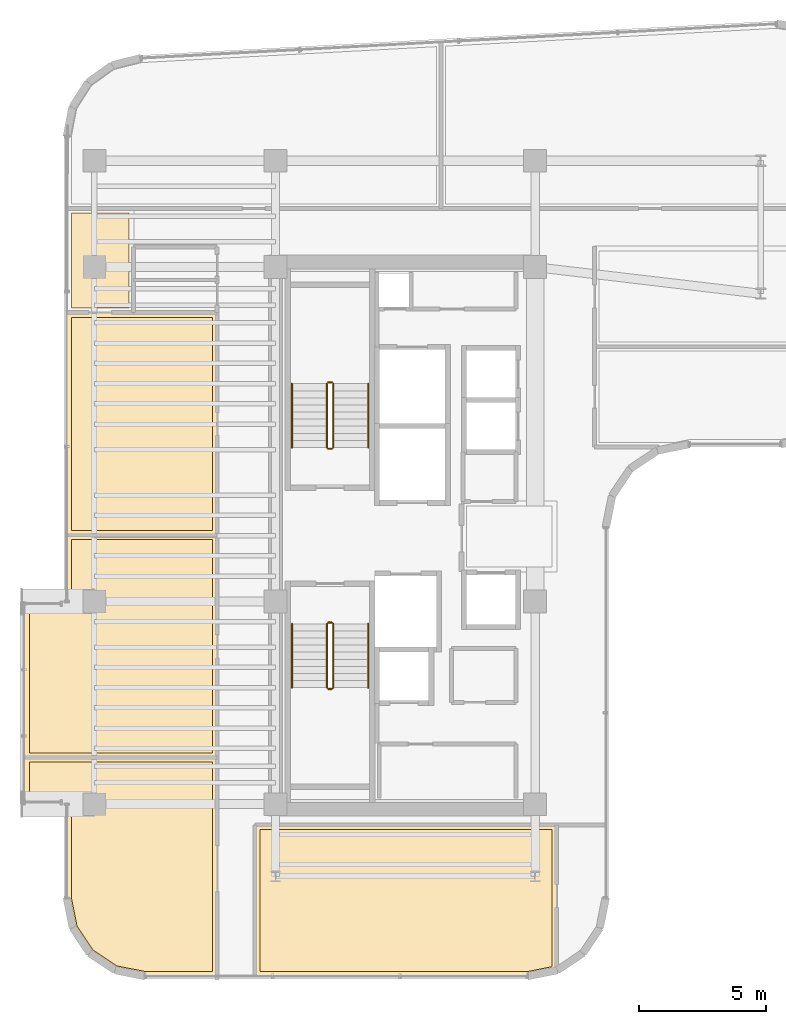
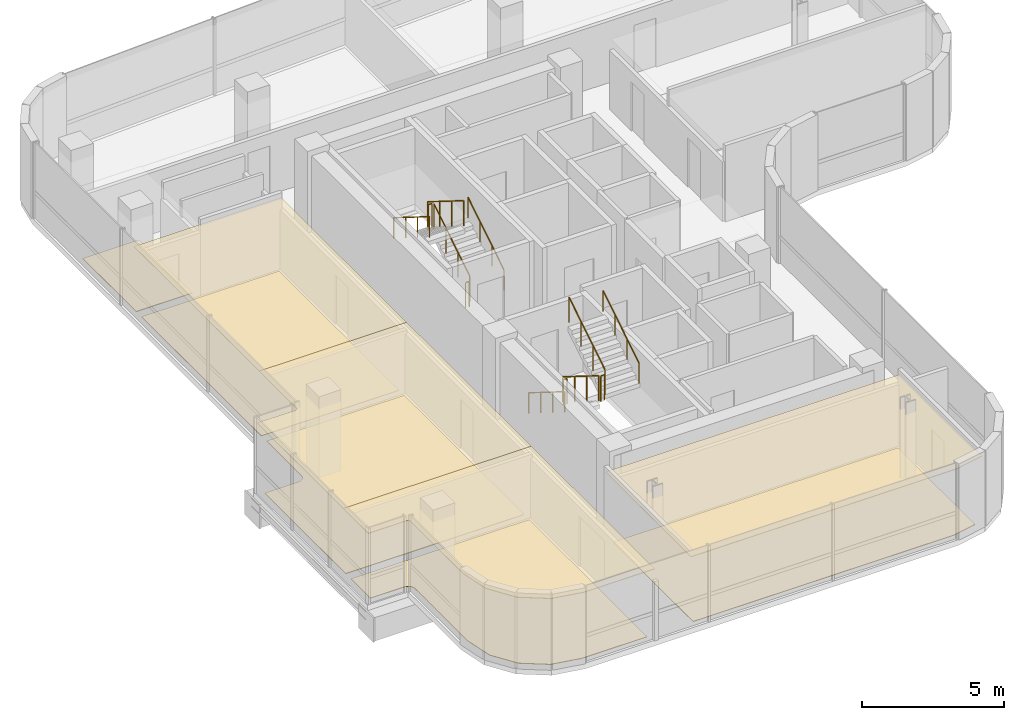
# One storey, part 21 of 22: 12 railings, 9 coverings.
"""IFC4 building model written with IfcOpenShell, lengths in metres."""

import ifcopenshell
import ifcopenshell.guid

model = None  # the IFC model being written
_history = None  # IfcOwnerHistory: only IFC2X3 demands one
_inside = {}  # id of a spatial element -> (the spatial element, [elements in it])
_under = {}  # id of a project, library or spatial element -> (it, [spatial elements below it])
_declared = {}  # id of a project -> (the project, [libraries it declares])
_typed = {}  # id of a type object -> (the type object, [elements of that type])
_made_of = {}  # id of a material, layer set ... -> (it, [elements and type objects made of it])


def new_model(schema):
    """Start an empty IFC model of exactly this schema.

    Asked for "IFC4X3", IfcOpenShell would pick the latest addendum, in which some entities
    have other attributes; the version numbers below select the first issue.
    IFC2X3 requires an IfcOwnerHistory on every rooted entity: one is made here for all.
    """
    global model, _history
    if schema == "IFC4X3":
        model = ifcopenshell.file(schema_version=(4, 3, 0, 0))
    else:
        model = ifcopenshell.file(schema=schema)
    _inside.clear()
    _under.clear()
    _declared.clear()
    _typed.clear()
    _made_of.clear()
    _history = None
    if model.schema == "IFC2X3":
        org = make("IfcOrganization", Name="unknown")
        user = make(
            "IfcPersonAndOrganization",
            ThePerson=make("IfcPerson", FamilyName="unknown"),
            TheOrganization=org,
        )
        app = make(
            "IfcApplication",
            ApplicationDeveloper=org,
            Version="unknown",
            ApplicationFullName="unknown",
            ApplicationIdentifier="unknown",
        )
        _history = make(
            "IfcOwnerHistory",
            OwningUser=user,
            OwningApplication=app,
            ChangeAction="ADDED",
            CreationDate=0,
        )
    return model


def make(cls, **values):
    """One entity of the class cls with the attributes given. An attribute that is None is left unset."""
    return model.create_entity(
        cls, **{name: value for name, value in values.items() if value is not None}
    )


def rooted(cls, **values):
    """An entity with a GlobalId (a new one), such as an element, a storey or a relation."""
    return make(cls, GlobalId=ifcopenshell.guid.new(), OwnerHistory=_history, **values)


def si_unit(unit_type, name, prefix=None):
    """IfcSIUnit, for example si_unit("LENGTHUNIT", "METRE", prefix="MILLI")."""
    return make("IfcSIUnit", UnitType=unit_type, Prefix=prefix, Name=name)


def assignment(units):
    """IfcUnitAssignment: the units of a project."""
    return None if units is None else make("IfcUnitAssignment", Units=units)


def point(xyz):
    """IfcCartesianPoint."""
    return None if xyz is None else make("IfcCartesianPoint", Coordinates=xyz)


def direction(xyz):
    """IfcDirection."""
    return None if xyz is None else make("IfcDirection", DirectionRatios=xyz)


def frame(location, z_axis=None, x_axis=None):
    """IfcAxis2Placement3D, a coordinate frame: its origin and axes. An axis left out is left unset."""
    return make(
        "IfcAxis2Placement3D",
        Location=point(location),
        Axis=direction(z_axis),
        RefDirection=direction(x_axis),
    )


def frame_2d(location, x_axis=None):
    """IfcAxis2Placement2D, a coordinate frame in the plane: its origin and x axis."""
    return make(
        "IfcAxis2Placement2D", Location=point(location), RefDirection=direction(x_axis)
    )


def origin():
    """The frame at (0, 0, 0) with its axes left unset."""
    return frame((0.0, 0.0, 0.0))


def origin_2d():
    """The frame at (0, 0) in the plane with its x axis left unset."""
    return frame_2d((0.0, 0.0))


def place(relative_to, where):
    """IfcLocalPlacement: puts the frame where relative to a parent placement (None: the world)."""
    return make(
        "IfcLocalPlacement", PlacementRelTo=relative_to, RelativePlacement=where
    )


def context(
    kind, dimensions, precision=None, world=None, true_north=None, identifier=None
):
    """IfcGeometricRepresentationContext, for example the 3D "Model" context."""
    return make(
        "IfcGeometricRepresentationContext",
        ContextIdentifier=identifier,
        ContextType=kind,
        CoordinateSpaceDimension=dimensions,
        Precision=precision,
        WorldCoordinateSystem=world,
        TrueNorth=true_north,
    )


def subcontext(parent, identifier, kind, view, scale=None):
    """IfcGeometricRepresentationSubContext, for example "Body" below "Model"."""
    return make(
        "IfcGeometricRepresentationSubContext",
        ContextIdentifier=identifier,
        ContextType=kind,
        ParentContext=parent,
        TargetScale=scale,
        TargetView=view,
    )


def project(units=None, contexts=None):
    """IfcProject with its units and contexts."""
    return rooted(
        "IfcProject",
        Name="project",
        RepresentationContexts=contexts,
        UnitsInContext=assignment(units),
    )


def spatial(cls, under=None, at=None, **own):
    """A site, building, storey or space (cls), placed at a placement, below another one or the project."""
    s = rooted(cls, ObjectPlacement=at, **own)
    if under is not None:
        _under.setdefault(under.id(), (under, []))[1].append(s)
    return s


def polyline(points):
    """IfcPolyline through the points."""
    return make("IfcPolyline", Points=[point(p) for p in points])


def profile(cls, at=None, kind="AREA", **sizes):
    """A parametric profile (cls). Its sizes go by their IFC names, for example OverallWidth=200.0."""
    return make(cls, ProfileType=kind, Position=at, **sizes)


def circle(**sizes):
    """IfcCircleProfileDef."""
    return profile("IfcCircleProfileDef", **sizes)


def outline(outer, holes=None, kind="AREA"):
    """IfcArbitraryClosedProfileDef: a profile drawn as a closed curve; with holes, ...WithVoids."""
    if holes is None:
        return make("IfcArbitraryClosedProfileDef", ProfileType=kind, OuterCurve=outer)
    return make(
        "IfcArbitraryProfileDefWithVoids",
        ProfileType=kind,
        OuterCurve=outer,
        InnerCurves=holes,
    )


def extrude(swept, where, along, depth):
    """IfcExtrudedAreaSolid: the profile swept, set in the frame where, extruded along a direction by depth."""
    return make(
        "IfcExtrudedAreaSolid",
        SweptArea=swept,
        Position=where,
        ExtrudedDirection=direction(along),
        Depth=depth,
    )


def shape(context_of_items, identifier, shape_type, items):
    """IfcShapeRepresentation: the items that make up one representation, for example the "Body"."""
    return make(
        "IfcShapeRepresentation",
        ContextOfItems=context_of_items,
        RepresentationIdentifier=identifier,
        RepresentationType=shape_type,
        Items=items,
    )


def material(Name=None, Category=None):
    """IfcMaterial."""
    return make("IfcMaterial", Name=Name, Category=Category)


def layer(
    of_material, thickness, ventilated=None, Name=None, Category=None, Priority=None
):
    """IfcMaterialLayer: one layer of a wall or slab, of a material (None: an air gap)."""
    return make(
        "IfcMaterialLayer",
        Material=of_material,
        LayerThickness=thickness,
        IsVentilated=ventilated,
        Name=Name,
        Category=Category,
        Priority=Priority,
    )


def layer_set(layers, Name=None):
    """IfcMaterialLayerSet."""
    return make("IfcMaterialLayerSet", MaterialLayers=layers, LayerSetName=Name)


def made_of(thing, what):
    """Note that an element or type object is made of a material, layer set ...; save() writes the relation."""
    if what is not None:
        _made_of.setdefault(what.id(), (what, []))[1].append(thing)
    return thing


def type_object(cls, material=None, **own):
    """A type object (cls), such as IfcWallType, which elements share."""
    return made_of(rooted(cls, **own), material)


def element(
    cls,
    number,
    at=None,
    inside=None,
    cuts=None,
    type_object=None,
    material=None,
    context=None,
    identifier="Body",
    shape_type=None,
    held_by="IfcProductDefinitionShape",
    body=None,
    shapes=None,
    **own,
):
    """One element of the class cls, such as IfcWall. Its Tag is "e" and its number.

    at: its placement. inside: the storey or other place that contains it. cuts: it is an
    opening in that element (IfcRelVoidsElement). A single representation is given by context,
    identifier, shape_type and body (its items); several are given by shapes. held_by: the class
    of the entity that holds the representations. save() writes the other relations.
    """
    e = rooted(cls, Tag="e%d" % number, ObjectPlacement=at, **own)
    if body is not None:
        shapes = [shape(context, identifier, shape_type, body)]
    if shapes is not None:
        e.Representation = make(held_by, Representations=shapes)
    if inside is not None:
        _inside.setdefault(inside.id(), (inside, []))[1].append(e)
    if cuts is not None:
        rooted(
            "IfcRelVoidsElement", RelatingBuildingElement=cuts, RelatedOpeningElement=e
        )
    if type_object is not None:
        _typed.setdefault(type_object.id(), (type_object, []))[1].append(e)
    return made_of(e, material)


def aggregate(whole, parts):
    """IfcRelAggregates: a whole, such as a stair, and the parts it consists of."""
    return rooted("IfcRelAggregates", RelatingObject=whole, RelatedObjects=parts)


def save(model, path):
    """Write the relations noted so far, then the file.

    IfcRelAggregates (storeys below a building ...), IfcRelContainedInSpatialStructure (elements
    in a storey), IfcRelDefinesByType, IfcRelAssociatesMaterial and IfcRelDeclares: one each for
    every whole, place, type object, material and project.
    """
    for whole, parts in _under.values():
        aggregate(whole, parts)
    for where, things in _inside.values():
        rooted(
            "IfcRelContainedInSpatialStructure",
            RelatedElements=things,
            RelatingStructure=where,
        )
    for kind, things in _typed.values():
        rooted("IfcRelDefinesByType", RelatedObjects=things, RelatingType=kind)
    for what, things in _made_of.values():
        rooted("IfcRelAssociatesMaterial", RelatedObjects=things, RelatingMaterial=what)
    for by, libraries in _declared.values():
        rooted("IfcRelDeclares", RelatingContext=by, RelatedDefinitions=libraries)
    model.write(path)


model = new_model("IFC4")

# Units and contexts
model_context = context("Model", 3, precision=1e-05, world=origin(), true_north=direction((0.0, 1.0)))
body_context = subcontext(model_context, "Body", "Model", "MODEL_VIEW")
ifc_project = project(units=[si_unit("LENGTHUNIT", "METRE"), si_unit("AREAUNIT", "SQUARE_METRE"), si_unit("VOLUMEUNIT", "CUBIC_METRE"), si_unit("PLANEANGLEUNIT", "RADIAN"), si_unit("MASSUNIT", "GRAM", prefix="KILO")], contexts=[model_context])

# Site, building, storey
site_placement = place(None, origin())
site = spatial("IfcSite", under=ifc_project, at=site_placement, CompositionType="ELEMENT")
building_placement = place(site_placement, origin())
building = spatial("IfcBuilding", under=site, at=building_placement, Name="Valdorenza Pilgrim Sanctuary Tower", CompositionType="ELEMENT")
storey_placement = place(building_placement, frame((0.0, 0.0, 233.5)))
storey = spatial("IfcBuildingStorey", under=building, at=storey_placement, Name="L60", CompositionType="ELEMENT", Elevation=233.5)

# Coverings
ifc_material_1 = material(Name="Micro-perforated acoustic mineral ceiling tile", Category="gypsum")
ifc_layer_1 = layer(ifc_material_1, 0.02490234375, Name="Micro-perforated acoustic mineral ceiling tile")
ifc_layer_set_1 = layer_set([ifc_layer_1], Name="Micro-perforated acoustic mineral ceiling tile")
covering_type_1 = type_object("IfcCoveringType", Name="COV-CLG-ACU", PredefinedType="CEILING", material=ifc_layer_set_1)
covering_1_placement = place(storey_placement, frame((0.0, 0.0, 2.9599609375)))
element("IfcCovering", 1, at=covering_1_placement, inside=storey, type_object=covering_type_1, Name="L60 Main Pilgrim Dining Restaurant L60 Acoustic Ceiling", PredefinedType="CEILING", context=body_context, shape_type="SweptSolid", body=[
    extrude(outline(polyline([(-24.93505859375, -17.389892578125), (-24.93505859375, -17.3916015625), (-24.935302734375, -17.392822265625), (-24.935546875, -17.394287109375), (-24.93603515625, -17.395751953125), (-24.936767578125, -17.397216796875), (-24.9375, -17.398193359375), (-24.9384765625, -17.3994140625), (-24.939453125, -17.400634765625), (-24.9404296875, -17.401611328125), (-24.941650390625, -17.402587890625), (-24.94287109375, -17.4033203125), (-24.9443359375, -17.40380859375), (-24.945556640625, -17.404296875), (-24.947021484375, -17.40478515625), (-24.948486328125, -17.40478515625), (-24.949951171875, -17.405029296875), (-27.789306640625, -17.405029296875), (-27.79052734375, -17.40478515625), (-27.7919921875, -17.40478515625), (-28.984619140625, -17.16748046875), (-28.986083984375, -17.1669921875), (-28.9873046875, -17.16650390625), (-28.98876953125, -17.166015625), (-28.989990234375, -17.165283203125), (-29.99169921875, -16.495849609375), (-29.992919921875, -16.4951171875), (-29.993896484375, -16.493896484375), (-29.9951171875, -16.492919921875), (-29.995849609375, -16.49169921875), (-30.665283203125, -15.489990234375), (-30.666015625, -15.48876953125), (-30.66650390625, -15.4873046875), (-30.6669921875, -15.486083984375), (-30.66748046875, -15.484619140625), (-30.90478515625, -14.2919921875), (-30.90478515625, -14.29052734375), (-30.905029296875, -14.289306640625), (-30.905029296875, -10.600341796875), (-30.905517578125, -10.5908203125), (-30.90673828125, -10.58154296875), (-30.9091796875, -10.572509765625), (-30.912109375, -10.563720703125), (-30.916259765625, -10.55517578125), (-30.9208984375, -10.547119140625), (-30.926513671875, -10.539794921875), (-30.932861328125, -10.53271484375), (-30.939697265625, -10.526611328125), (-30.947265625, -10.52099609375), (-30.955078125, -10.51611328125), (-30.963623046875, -10.51220703125), (-30.972412109375, -10.509033203125), (-30.9814453125, -10.5068359375), (-30.99072265625, -10.505615234375), (-31.00048828125, -10.5048828125), (-32.5400390625, -10.5048828125), (-32.54150390625, -10.5048828125), (-32.54296875, -10.504638671875), (-32.54443359375, -10.50439453125), (-32.545654296875, -10.50390625), (-32.547119140625, -10.503173828125), (-32.54833984375, -10.50244140625), (-32.549560546875, -10.501708984375), (-32.550537109375, -10.50048828125), (-32.551513671875, -10.49951171875), (-32.552490234375, -10.498291015625), (-32.55322265625, -10.4970703125), (-32.553955078125, -10.49560546875), (-32.554443359375, -10.494384765625), (-32.5546875, -10.492919921875), (-32.554931640625, -10.491455078125), (-32.554931640625, -10.489990234375), (-32.554931640625, -8.760009765625), (-32.554931640625, -8.758544921875), (-32.5546875, -8.757080078125), (-32.554443359375, -8.755615234375), (-32.553955078125, -8.75439453125), (-32.55322265625, -8.7529296875), (-32.552490234375, -8.751708984375), (-32.551513671875, -8.75048828125), (-32.550537109375, -8.74951171875), (-32.549560546875, -8.748291015625), (-32.54833984375, -8.74755859375), (-32.547119140625, -8.746826171875), (-32.545654296875, -8.74609375), (-32.54443359375, -8.74560546875), (-32.54296875, -8.745361328125), (-32.54150390625, -8.7451171875), (-32.5400390625, -8.7451171875), (-24.949951171875, -8.7451171875), (-24.948486328125, -8.7451171875), (-24.947021484375, -8.745361328125), (-24.945556640625, -8.74560546875), (-24.9443359375, -8.74609375), (-24.94287109375, -8.746826171875), (-24.941650390625, -8.74755859375), (-24.9404296875, -8.748291015625), (-24.939453125, -8.74951171875), (-24.9384765625, -8.75048828125), (-24.9375, -8.751708984375), (-24.936767578125, -8.7529296875), (-24.93603515625, -8.75439453125), (-24.935546875, -8.755615234375), (-24.935302734375, -8.757080078125), (-24.93505859375, -8.758544921875), (-24.93505859375, -8.760009765625), (-24.93505859375, -17.389892578125)])), origin(), (0.0, 0.0, 1.0), 0.025146484375),
])
covering_2_placement = place(storey_placement, frame((0.0, 0.0, 2.9599609375)))
element("IfcCovering", 2, at=covering_2_placement, inside=storey, type_object=covering_type_1, Name="L60 Commercial Refectory Kitchen L60 Acoustic Ceiling", PredefinedType="CEILING", context=body_context, shape_type="SweptSolid", body=[
    extrude(outline(polyline([(-24.93505859375, -8.758056640625), (-24.93505859375, -8.759521484375), (-24.935302734375, -8.760986328125), (-24.935546875, -8.762451171875), (-24.93603515625, -8.763671875), (-24.936767578125, -8.76513671875), (-24.9375, -8.766357421875), (-24.9384765625, -8.767578125), (-24.939453125, -8.7685546875), (-24.9404296875, -8.76953125), (-24.941650390625, -8.7705078125), (-24.94287109375, -8.771240234375), (-24.9443359375, -8.77197265625), (-24.945556640625, -8.7724609375), (-24.947021484375, -8.772705078125), (-24.948486328125, -8.77294921875), (-24.949951171875, -8.77294921875), (-32.5400390625, -8.77294921875), (-32.54150390625, -8.77294921875), (-32.54296875, -8.772705078125), (-32.54443359375, -8.7724609375), (-32.545654296875, -8.77197265625), (-32.547119140625, -8.771240234375), (-32.54833984375, -8.7705078125), (-32.549560546875, -8.76953125), (-32.550537109375, -8.7685546875), (-32.551513671875, -8.767578125), (-32.552490234375, -8.766357421875), (-32.55322265625, -8.76513671875), (-32.553955078125, -8.763671875), (-32.554443359375, -8.762451171875), (-32.5546875, -8.760986328125), (-32.554931640625, -8.759521484375), (-32.554931640625, -8.758056640625), (-32.554931640625, -2.7099609375), (-32.554931640625, -2.70849609375), (-32.5546875, -2.70703125), (-32.554443359375, -2.70556640625), (-32.553955078125, -2.704345703125), (-32.55322265625, -2.702880859375), (-32.552490234375, -2.70166015625), (-32.551513671875, -2.700439453125), (-32.550537109375, -2.699462890625), (-32.549560546875, -2.698486328125), (-32.54833984375, -2.697509765625), (-32.547119140625, -2.69677734375), (-32.545654296875, -2.696044921875), (-32.54443359375, -2.695556640625), (-32.54296875, -2.6953125), (-32.54150390625, -2.695068359375), (-32.5400390625, -2.695068359375), (-31.00048828125, -2.695068359375), (-30.99072265625, -2.694580078125), (-30.9814453125, -2.693115234375), (-30.972412109375, -2.69091796875), (-30.963623046875, -2.687744140625), (-30.955078125, -2.683837890625), (-30.947265625, -2.678955078125), (-30.939697265625, -2.67333984375), (-30.932861328125, -2.667236328125), (-30.926513671875, -2.660400390625), (-30.9208984375, -2.65283203125), (-30.916259765625, -2.644775390625), (-30.912109375, -2.63623046875), (-30.9091796875, -2.627685546875), (-30.90673828125, -2.618408203125), (-30.905517578125, -2.609375), (-30.905029296875, -2.599609375), (-30.905029296875, 0.02001953125), (-30.90478515625, 0.021484375), (-30.90478515625, 0.02294921875), (-30.904296875, 0.0244140625), (-30.90380859375, 0.025634765625), (-30.9033203125, 0.027099609375), (-30.902587890625, 0.0283203125), (-30.901611328125, 0.029541015625), (-30.900634765625, 0.030517578125), (-30.8994140625, 0.031494140625), (-30.898193359375, 0.032470703125), (-30.897216796875, 0.033203125), (-30.895751953125, 0.033935546875), (-30.894287109375, 0.034423828125), (-30.892822265625, 0.03466796875), (-30.8916015625, 0.034912109375), (-30.889892578125, 0.034912109375), (-24.949951171875, 0.034912109375), (-24.948486328125, 0.034912109375), (-24.947021484375, 0.03466796875), (-24.945556640625, 0.034423828125), (-24.9443359375, 0.033935546875), (-24.94287109375, 0.033203125), (-24.941650390625, 0.032470703125), (-24.9404296875, 0.031494140625), (-24.939453125, 0.030517578125), (-24.9384765625, 0.029541015625), (-24.9375, 0.0283203125), (-24.936767578125, 0.027099609375), (-24.93603515625, 0.025634765625), (-24.935546875, 0.0244140625), (-24.935302734375, 0.02294921875), (-24.93505859375, 0.021484375), (-24.93505859375, 0.02001953125), (-24.93505859375, -8.758056640625)])), origin(), (0.0, 0.0, 1.0), 0.025146484375),
])
covering_3_placement = place(storey_placement, frame((0.0, 0.0, 2.9599609375)))
element("IfcCovering", 3, at=covering_3_placement, inside=storey, type_object=covering_type_1, Name="L60 Private Banquet Dining Room L60 Acoustic Ceiling", PredefinedType="CEILING", context=body_context, shape_type="SweptSolid", body=[
    extrude(outline(polyline([(-28.253662109375, 8.81298828125), (-28.253173828125, 8.81298828125), (-28.25146484375, 8.813232421875), (-28.25, 8.813232421875), (-28.24853515625, 8.81298828125), (-28.248291015625, 8.81298828125), (-24.949951171875, 8.81298828125), (-24.948486328125, 8.81298828125), (-24.947021484375, 8.812744140625), (-24.945556640625, 8.8125), (-24.9443359375, 8.81201171875), (-24.94287109375, 8.811279296875), (-24.941650390625, 8.810546875), (-24.9404296875, 8.8095703125), (-24.939453125, 8.80859375), (-24.9384765625, 8.8076171875), (-24.9375, 8.806396484375), (-24.936767578125, 8.80517578125), (-24.93603515625, 8.8037109375), (-24.935546875, 8.802490234375), (-24.935302734375, 8.80078125), (-24.93505859375, 8.799560546875), (-24.93505859375, 8.798095703125), (-24.93505859375, 0.02197265625), (-24.93505859375, 0.0205078125), (-24.935302734375, 0.01904296875), (-24.935546875, 0.017578125), (-24.93603515625, 0.016357421875), (-24.936767578125, 0.014892578125), (-24.9375, 0.013671875), (-24.9384765625, 0.012451171875), (-24.939453125, 0.011474609375), (-24.9404296875, 0.010498046875), (-24.941650390625, 0.009521484375), (-24.94287109375, 0.0087890625), (-24.9443359375, 0.008056640625), (-24.945556640625, 0.007568359375), (-24.947021484375, 0.00732421875), (-24.948486328125, 0.007080078125), (-24.949951171875, 0.007080078125), (-30.889892578125, 0.007080078125), (-30.8916015625, 0.007080078125), (-30.892822265625, 0.00732421875), (-30.894287109375, 0.007568359375), (-30.895751953125, 0.008056640625), (-30.897216796875, 0.0087890625), (-30.898193359375, 0.009521484375), (-30.8994140625, 0.010498046875), (-30.900634765625, 0.011474609375), (-30.901611328125, 0.012451171875), (-30.902587890625, 0.013671875), (-30.9033203125, 0.014892578125), (-30.90380859375, 0.016357421875), (-30.904296875, 0.017578125), (-30.90478515625, 0.01904296875), (-30.90478515625, 0.0205078125), (-30.905029296875, 0.02197265625), (-30.905029296875, 8.798095703125), (-30.90478515625, 8.799560546875), (-30.90478515625, 8.80078125), (-30.904296875, 8.802490234375), (-30.90380859375, 8.8037109375), (-30.9033203125, 8.80517578125), (-30.902587890625, 8.806396484375), (-30.901611328125, 8.8076171875), (-30.900634765625, 8.80859375), (-30.8994140625, 8.8095703125), (-30.898193359375, 8.810546875), (-30.897216796875, 8.811279296875), (-30.895751953125, 8.81201171875), (-30.894287109375, 8.8125), (-30.892822265625, 8.812744140625), (-30.8916015625, 8.81298828125), (-30.889892578125, 8.81298828125), (-28.253662109375, 8.81298828125)])), origin(), (0.0, 0.0, 1.0), 0.025146484375),
])
covering_4_placement = place(storey_placement, frame((0.0, 0.0, 2.9599609375)))
element("IfcCovering", 4, at=covering_4_placement, inside=storey, type_object=covering_type_1, Name="L60 South Contemplation Lounge L60 Acoustic Ceiling", PredefinedType="CEILING", context=body_context, shape_type="SweptSolid", body=[
    extrude(outline(polyline([(-11.550048828125, -11.405029296875), (-11.548583984375, -11.405029296875), (-11.547119140625, -11.4052734375), (-11.545654296875, -11.405517578125), (-11.544189453125, -11.406005859375), (-11.54296875, -11.40673828125), (-11.541748046875, -11.407470703125), (-11.54052734375, -11.408447265625), (-11.539306640625, -11.409423828125), (-11.538330078125, -11.410400390625), (-11.53759765625, -11.41162109375), (-11.536865234375, -11.412841796875), (-11.5361328125, -11.414306640625), (-11.53564453125, -11.41552734375), (-11.535400390625, -11.4169921875), (-11.53515625, -11.41845703125), (-11.534912109375, -11.419921875), (-11.534912109375, -17.1591796875), (-11.53515625, -17.16064453125), (-11.535400390625, -17.162109375), (-11.53564453125, -17.163330078125), (-11.5361328125, -17.164794921875), (-11.536865234375, -17.166259765625), (-11.53759765625, -17.16748046875), (-11.538330078125, -17.168701171875), (-11.539306640625, -17.169677734375), (-11.54052734375, -17.170654296875), (-11.541748046875, -17.171630859375), (-11.54296875, -17.17236328125), (-11.544189453125, -17.1728515625), (-11.545654296875, -17.17333984375), (-11.547119140625, -17.173828125), (-12.7080078125, -17.40478515625), (-12.70947265625, -17.40478515625), (-12.710693359375, -17.405029296875), (-23.449951171875, -17.405029296875), (-23.451416015625, -17.40478515625), (-23.452880859375, -17.40478515625), (-23.454345703125, -17.404296875), (-23.455810546875, -17.40380859375), (-23.45703125, -17.4033203125), (-23.458251953125, -17.402587890625), (-23.45947265625, -17.401611328125), (-23.460693359375, -17.400634765625), (-23.461669921875, -17.3994140625), (-23.46240234375, -17.398193359375), (-23.463134765625, -17.397216796875), (-23.4638671875, -17.395751953125), (-23.46435546875, -17.394287109375), (-23.464599609375, -17.392822265625), (-23.46484375, -17.3916015625), (-23.465087890625, -17.389892578125), (-23.465087890625, -11.419921875), (-23.46484375, -11.41845703125), (-23.464599609375, -11.4169921875), (-23.46435546875, -11.41552734375), (-23.4638671875, -11.414306640625), (-23.463134765625, -11.412841796875), (-23.46240234375, -11.41162109375), (-23.461669921875, -11.410400390625), (-23.460693359375, -11.409423828125), (-23.45947265625, -11.408447265625), (-23.458251953125, -11.407470703125), (-23.45703125, -11.40673828125), (-23.455810546875, -11.406005859375), (-23.454345703125, -11.405517578125), (-23.452880859375, -11.4052734375), (-23.451416015625, -11.405029296875), (-23.449951171875, -11.405029296875), (-11.550048828125, -11.405029296875)])), origin(), (0.0, 0.0, 1.0), 0.025146484375),
])
ifc_material_2 = material(Name="Engineered European oak timber flooring", Category="wood")
ifc_layer_2 = layer(ifc_material_2, 0.02197265625, Name="Engineered European oak timber flooring")
ifc_layer_set_2 = layer_set([ifc_layer_2], Name="Engineered European oak timber flooring")
covering_type_2 = type_object("IfcCoveringType", Name="COV-FLR-OAK", PredefinedType="FLOORING", material=ifc_layer_set_2)
covering_5_placement = place(storey_placement, origin())
element("IfcCovering", 5, at=covering_5_placement, inside=storey, type_object=covering_type_2, Name="L60 Private Banquet Dining Room L60 Flooring", PredefinedType="FLOORING", context=body_context, shape_type="SweptSolid", body=[
    extrude(outline(polyline([(-28.250244140625, 8.617919921875), (-28.25, 8.617919921875), (-25.1298828125, 8.617919921875), (-25.1298828125, 0.201904296875), (-30.7099609375, 0.201904296875), (-30.7099609375, 8.617919921875), (-28.251953125, 8.617919921875), (-28.2509765625, 8.617919921875), (-28.250244140625, 8.617919921875)])), origin(), (0.0, 0.0, 1.0), 0.02490234375),
])
ifc_material_3 = material(Name="Honed travertine stone flooring", Category="masonry")
ifc_layer_3 = layer(ifc_material_3, 0.030029296875, Name="Honed travertine stone flooring")
ifc_layer_set_3 = layer_set([ifc_layer_3], Name="Honed travertine stone flooring")
covering_type_3 = type_object("IfcCoveringType", Name="COV-FLR-TRV", PredefinedType="FLOORING", material=ifc_layer_set_3)
covering_6_placement = place(storey_placement, origin())
element("IfcCovering", 6, at=covering_6_placement, inside=storey, type_object=covering_type_3, Name="L60 Pilgrim Scholar Office L60-WN Flooring", PredefinedType="FLOORING", context=body_context, shape_type="SweptSolid", body=[
    extrude(outline(polyline([(-28.431884765625, 10.100341796875), (-28.431884765625, 10.10009765625), (-28.431884765625, 8.97998046875), (-30.7099609375, 8.97998046875), (-30.7099609375, 12.739990234375), (-28.429931640625, 12.739990234375), (-28.429931640625, 11.427001953125), (-28.429931640625, 11.4267578125), (-28.429931640625, 11.426513671875), (-28.431884765625, 11.408935546875), (-28.431884765625, 11.40869140625), (-28.431884765625, 11.39990234375), (-28.431884765625, 10.10205078125), (-28.431884765625, 10.10107421875), (-28.431884765625, 10.100341796875)])), origin(), (0.0, 0.0, 1.0), 0.02490234375),
])
covering_7_placement = place(storey_placement, origin())
element("IfcCovering", 7, at=covering_7_placement, inside=storey, type_object=covering_type_3, Name="L60 Main Pilgrim Dining Restaurant L60 Flooring", PredefinedType="FLOORING", context=body_context, shape_type="SweptSolid", body=[
    extrude(outline(polyline([(-25.1298828125, -17.2099609375), (-27.771484375, -17.2099609375), (-28.911376953125, -16.983154296875), (-29.853515625, -16.353515625), (-30.483154296875, -15.411376953125), (-30.7099609375, -14.271484375), (-30.7099609375, -10.60009765625), (-30.710205078125, -10.59130859375), (-30.710693359375, -10.580322265625), (-30.71240234375, -10.562744140625), (-30.714111328125, -10.552001953125), (-30.717529296875, -10.534912109375), (-30.72021484375, -10.5244140625), (-30.725341796875, -10.50732421875), (-30.72900390625, -10.497314453125), (-30.735595703125, -10.48095703125), (-30.740234375, -10.47119140625), (-30.74853515625, -10.45556640625), (-30.754150390625, -10.4462890625), (-30.763916015625, -10.431640625), (-30.7705078125, -10.423095703125), (-30.781494140625, -10.4091796875), (-30.788818359375, -10.4013671875), (-30.80126953125, -10.388916015625), (-30.809326171875, -10.381591796875), (-30.822998046875, -10.370361328125), (-30.831787109375, -10.364013671875), (-30.84619140625, -10.35400390625), (-30.855712890625, -10.3486328125), (-30.87109375, -10.34033203125), (-30.880859375, -10.335693359375), (-30.897216796875, -10.328857421875), (-30.907470703125, -10.3251953125), (-30.92431640625, -10.320068359375), (-30.934814453125, -10.3173828125), (-30.9521484375, -10.314208984375), (-30.962890625, -10.3125), (-30.98046875, -10.310791015625), (-30.9912109375, -10.310302734375), (-31.0, -10.31005859375), (-32.360107421875, -10.31005859375), (-32.360107421875, -8.93994140625), (-25.1298828125, -8.93994140625), (-25.1298828125, -17.2099609375)])), origin(), (0.0, 0.0, 1.0), 0.02490234375),
])
covering_8_placement = place(storey_placement, origin())
element("IfcCovering", 8, at=covering_8_placement, inside=storey, type_object=covering_type_3, Name="L60 Commercial Refectory Kitchen L60 Flooring", PredefinedType="FLOORING", context=body_context, shape_type="SweptSolid", body=[
    extrude(outline(polyline([(-25.1298828125, -8.577880859375), (-32.360107421875, -8.577880859375), (-32.360107421875, -2.889892578125), (-31.0, -2.889892578125), (-30.9912109375, -2.889892578125), (-30.98046875, -2.889404296875), (-30.962890625, -2.887451171875), (-30.9521484375, -2.885986328125), (-30.934814453125, -2.882568359375), (-30.92431640625, -2.8798828125), (-30.907470703125, -2.874755859375), (-30.897216796875, -2.87109375), (-30.880859375, -2.8642578125), (-30.87109375, -2.859619140625), (-30.855712890625, -2.851318359375), (-30.84619140625, -2.845947265625), (-30.831787109375, -2.8359375), (-30.822998046875, -2.82958984375), (-30.809326171875, -2.818359375), (-30.80126953125, -2.811279296875), (-30.788818359375, -2.798583984375), (-30.781494140625, -2.790771484375), (-30.7705078125, -2.777099609375), (-30.763916015625, -2.768310546875), (-30.754150390625, -2.753662109375), (-30.74853515625, -2.744384765625), (-30.740234375, -2.728759765625), (-30.735595703125, -2.718994140625), (-30.72900390625, -2.70263671875), (-30.725341796875, -2.692626953125), (-30.72021484375, -2.67578125), (-30.717529296875, -2.665283203125), (-30.714111328125, -2.64794921875), (-30.71240234375, -2.63720703125), (-30.710693359375, -2.61962890625), (-30.710205078125, -2.60888671875), (-30.7099609375, -2.60009765625), (-30.7099609375, -0.159912109375), (-25.1298828125, -0.159912109375), (-25.1298828125, -8.577880859375)])), origin(), (0.0, 0.0, 1.0), 0.02490234375),
])
covering_9_placement = place(storey_placement, origin())
element("IfcCovering", 9, at=covering_9_placement, inside=storey, type_object=covering_type_3, Name="L60 South Contemplation Lounge L60 Flooring", PredefinedType="FLOORING", context=body_context, shape_type="SweptSolid", body=[
    extrude(outline(polyline([(-11.72998046875, -11.60009765625), (-11.72998046875, -17.011474609375), (-12.728515625, -17.2099609375), (-23.27001953125, -17.2099609375), (-23.27001953125, -11.60009765625), (-11.72998046875, -11.60009765625)])), origin(), (0.0, 0.0, 1.0), 0.02490234375),
])

# Railings
ifc_material_4 = material(Name="Stainless steel Grade 316", Category="steel")
railing_type_1 = type_object("IfcRailingType", Name="RLG-GRD-1120", PredefinedType="GUARDRAIL", material=ifc_material_4)
railing_1_placement = place(storey_placement, frame((-20.3701171875, 3.47998046875, 0.175048828125)))
element("IfcRailing", 10, at=railing_1_placement, inside=storey, type_object=railing_type_1, Name="L60 ST-A1 stair guard 1", PredefinedType="GUARDRAIL", context=body_context, shape_type="SweptSolid", body=[
    extrude(circle(Radius=0.02392578125, at=origin_2d()), frame((0.0, 0.0, 1.076171875), z_axis=(0.0, 0.848007534815, 0.529984170421), x_axis=(-1.0, 0.0, 0.0)), (0.0, 0.0, 1.0), 2.9716796875),
    extrude(circle(Radius=0.02099609375, at=origin_2d()), origin(), (0.0, 0.0, 1.0), 1.052001953125),
    extrude(circle(Radius=0.02099609375, at=origin_2d()), frame((0.0, 0.840087890625, 0.52490234375)), (0.0, 0.0, 1.0), 1.052001953125),
    extrude(circle(Radius=0.02099609375, at=origin_2d()), frame((0.0, 1.679931640625, 1.050048828125)), (0.0, 0.0, 1.0), 1.052001953125),
    extrude(circle(Radius=0.02099609375, at=origin_2d()), frame((0.0, 2.52001953125, 1.574951171875)), (0.0, 0.0, 1.0), 1.052001953125),
])
railing_2_placement = place(storey_placement, frame((-20.419921875, 6.050048828125, 1.75)))
element("IfcRailing", 11, at=railing_2_placement, inside=storey, type_object=railing_type_1, Name="L60 ST-A1 stair guard 2", PredefinedType="GUARDRAIL", context=body_context, shape_type="SweptSolid", body=[
    extrude(circle(Radius=0.02392578125, at=origin_2d()), frame((0.0, 0.0, 1.076171875), z_axis=(-1.0, 0.0, 0.0), x_axis=(0.0, -1.0, 0.0)), (0.0, 0.0, 1.0), 0.150146484375),
    extrude(circle(Radius=0.02099609375, at=origin_2d()), origin(), (0.0, 0.0, 1.0), 1.052001953125),
    extrude(circle(Radius=0.02099609375, at=origin_2d()), frame((-0.150146484375, 0.0, 0.0)), (0.0, 0.0, 1.0), 1.052001953125),
])
railing_3_placement = place(storey_placement, frame((-20.6201171875, 6.0, 1.925048828125)))
element("IfcRailing", 12, at=railing_3_placement, inside=storey, type_object=railing_type_1, Name="L60 ST-A1 stair guard 3", PredefinedType="GUARDRAIL", context=body_context, shape_type="SweptSolid", body=[
    extrude(circle(Radius=0.02392578125, at=origin_2d()), frame((0.0, 0.0, 1.076171875), z_axis=(0.0, -0.848007534815, 0.529984170421), x_axis=(1.0, 0.0, 0.0)), (0.0, 0.0, 1.0), 2.9716796875),
    extrude(circle(Radius=0.02099609375, at=origin_2d()), origin(), (0.0, 0.0, 1.0), 1.052001953125),
    extrude(circle(Radius=0.02099609375, at=origin_2d()), frame((0.0, -0.840087890625, 0.52490234375)), (0.0, 0.0, 1.0), 1.052001953125),
    extrude(circle(Radius=0.02099609375, at=origin_2d()), frame((0.0, -1.679931640625, 1.050048828125)), (0.0, 0.0, 1.0), 1.052001953125),
    extrude(circle(Radius=0.02099609375, at=origin_2d()), frame((0.0, -2.52001953125, 1.574951171875)), (0.0, 0.0, 1.0), 1.052001953125),
])
railing_4_placement = place(storey_placement, frame((-20.419921875, 3.429931640625, 0.0)))
element("IfcRailing", 13, at=railing_4_placement, inside=storey, type_object=railing_type_1, Name="L60 ST-A1 stair guard 4", PredefinedType="GUARDRAIL", context=body_context, shape_type="SweptSolid", body=[
    extrude(circle(Radius=0.02392578125, at=origin_2d()), frame((0.0, 0.0, 1.076171875), z_axis=(-1.0, 0.0, 0.0), x_axis=(0.0, -1.0, 0.0)), (0.0, 0.0, 1.0), 0.150146484375),
    extrude(circle(Radius=0.02099609375, at=origin_2d()), origin(), (0.0, 0.0, 1.0), 1.052001953125),
    extrude(circle(Radius=0.02099609375, at=origin_2d()), frame((-0.150146484375, 0.0, 0.0)), (0.0, 0.0, 1.0), 1.052001953125),
])
railing_5_placement = place(storey_placement, frame((-20.6201171875, -3.47998046875, 0.175048828125)))
element("IfcRailing", 14, at=railing_5_placement, inside=storey, type_object=railing_type_1, Name="L60 ST-A2 stair guard 1", PredefinedType="GUARDRAIL", context=body_context, shape_type="SweptSolid", body=[
    extrude(circle(Radius=0.02392578125, at=origin_2d()), frame((0.0, 0.0, 1.076171875), z_axis=(0.0, -0.848007534815, 0.529984170421), x_axis=(1.0, 0.0, 0.0)), (0.0, 0.0, 1.0), 2.9716796875),
    extrude(circle(Radius=0.02099609375, at=origin_2d()), origin(), (0.0, 0.0, 1.0), 1.052001953125),
    extrude(circle(Radius=0.02099609375, at=origin_2d()), frame((0.0, -0.840087890625, 0.52490234375)), (0.0, 0.0, 1.0), 1.052001953125),
    extrude(circle(Radius=0.02099609375, at=origin_2d()), frame((0.0, -1.679931640625, 1.050048828125)), (0.0, 0.0, 1.0), 1.052001953125),
    extrude(circle(Radius=0.02099609375, at=origin_2d()), frame((0.0, -2.52001953125, 1.574951171875)), (0.0, 0.0, 1.0), 1.052001953125),
])
railing_6_placement = place(storey_placement, frame((-20.570068359375, -6.050048828125, 1.75)))
element("IfcRailing", 15, at=railing_6_placement, inside=storey, type_object=railing_type_1, Name="L60 ST-A2 stair guard 2", PredefinedType="GUARDRAIL", context=body_context, shape_type="SweptSolid", body=[
    extrude(circle(Radius=0.02392578125, at=origin_2d()), frame((0.0, 0.0, 1.076171875), z_axis=(1.0, 0.0, 0.0), x_axis=(0.0, 1.0, 0.0)), (0.0, 0.0, 1.0), 0.150146484375),
    extrude(circle(Radius=0.02099609375, at=origin_2d()), origin(), (0.0, 0.0, 1.0), 1.052001953125),
    extrude(circle(Radius=0.02099609375, at=origin_2d()), frame((0.150146484375, 0.0, 0.0)), (0.0, 0.0, 1.0), 1.052001953125),
])
railing_7_placement = place(storey_placement, frame((-20.3701171875, -6.0, 1.925048828125)))
element("IfcRailing", 16, at=railing_7_placement, inside=storey, type_object=railing_type_1, Name="L60 ST-A2 stair guard 3", PredefinedType="GUARDRAIL", context=body_context, shape_type="SweptSolid", body=[
    extrude(circle(Radius=0.02392578125, at=origin_2d()), frame((0.0, 0.0, 1.076171875), z_axis=(0.0, 0.848007534815, 0.529984170421), x_axis=(-1.0, 0.0, 0.0)), (0.0, 0.0, 1.0), 2.9716796875),
    extrude(circle(Radius=0.02099609375, at=origin_2d()), origin(), (0.0, 0.0, 1.0), 1.052001953125),
    extrude(circle(Radius=0.02099609375, at=origin_2d()), frame((0.0, 0.840087890625, 0.52490234375)), (0.0, 0.0, 1.0), 1.052001953125),
    extrude(circle(Radius=0.02099609375, at=origin_2d()), frame((0.0, 1.679931640625, 1.050048828125)), (0.0, 0.0, 1.0), 1.052001953125),
    extrude(circle(Radius=0.02099609375, at=origin_2d()), frame((0.0, 2.52001953125, 1.574951171875)), (0.0, 0.0, 1.0), 1.052001953125),
])
railing_8_placement = place(storey_placement, frame((-20.570068359375, -3.429931640625, 0.0)))
element("IfcRailing", 17, at=railing_8_placement, inside=storey, type_object=railing_type_1, Name="L60 ST-A2 stair guard 4", PredefinedType="GUARDRAIL", context=body_context, shape_type="SweptSolid", body=[
    extrude(circle(Radius=0.02392578125, at=origin_2d()), frame((0.0, 0.0, 1.076171875), z_axis=(1.0, 0.0, 0.0), x_axis=(0.0, 1.0, 0.0)), (0.0, 0.0, 1.0), 0.150146484375),
    extrude(circle(Radius=0.02099609375, at=origin_2d()), origin(), (0.0, 0.0, 1.0), 1.052001953125),
    extrude(circle(Radius=0.02099609375, at=origin_2d()), frame((0.150146484375, 0.0, 0.0)), (0.0, 0.0, 1.0), 1.052001953125),
])
ifc_material_5 = material(Name="Brushed stainless steel Grade 316", Category="steel")
railing_type_2 = type_object("IfcRailingType", Name="RLG-HND-920", PredefinedType="HANDRAIL", material=ifc_material_5)
railing_9_placement = place(storey_placement, frame((-18.989990234375, 3.47998046875, 0.175048828125)))
element("IfcRailing", 18, at=railing_9_placement, inside=storey, type_object=railing_type_2, Name="L60 ST-A1 stair handrail 1", PredefinedType="HANDRAIL", context=body_context, shape_type="SweptSolid", body=[
    extrude(circle(Radius=0.02392578125, at=origin_2d()), frame((0.0, 0.0, 0.8759765625), z_axis=(0.0, 0.848007534815, 0.529984170421), x_axis=(-1.0, 0.0, 0.0)), (0.0, 0.0, 1.0), 2.9716796875),
    extrude(circle(Radius=0.02099609375, at=origin_2d()), origin(), (0.0, 0.0, 1.0), 0.851806640625),
    extrude(circle(Radius=0.02099609375, at=origin_2d()), frame((0.0, 0.840087890625, 0.52490234375)), (0.0, 0.0, 1.0), 0.851806640625),
    extrude(circle(Radius=0.02099609375, at=origin_2d()), frame((0.0, 1.679931640625, 1.050048828125)), (0.0, 0.0, 1.0), 0.851806640625),
    extrude(circle(Radius=0.02099609375, at=origin_2d()), frame((0.0, 2.52001953125, 1.574951171875)), (0.0, 0.0, 1.0), 0.851806640625),
])
for number, where, name in (
    (19, (-22.0, 6.0, 1.925048828125), "L60 ST-A1 stair handrail 2"),
    (20, (-22.0, -3.47998046875, 0.175048828125), "L60 ST-A2 stair handrail 1"),
):
    element("IfcRailing", number, at=place(storey_placement, frame(where)), inside=storey, type_object=railing_type_2, Name=name, PredefinedType="HANDRAIL", context=body_context, shape_type="SweptSolid", body=[
        extrude(circle(Radius=0.02392578125, at=origin_2d()), frame((0.0, 0.0, 0.8759765625), z_axis=(0.0, -0.848007534815, 0.529984170421), x_axis=(1.0, 0.0, 0.0)), (0.0, 0.0, 1.0), 2.9716796875),
        extrude(circle(Radius=0.02099609375, at=origin_2d()), origin(), (0.0, 0.0, 1.0), 0.851806640625),
        extrude(circle(Radius=0.02099609375, at=origin_2d()), frame((0.0, -0.840087890625, 0.52490234375)), (0.0, 0.0, 1.0), 0.851806640625),
        extrude(circle(Radius=0.02099609375, at=origin_2d()), frame((0.0, -1.679931640625, 1.050048828125)), (0.0, 0.0, 1.0), 0.851806640625),
        extrude(circle(Radius=0.02099609375, at=origin_2d()), frame((0.0, -2.52001953125, 1.574951171875)), (0.0, 0.0, 1.0), 0.851806640625),
    ])
railing_10_placement = place(storey_placement, frame((-18.989990234375, -6.0, 1.925048828125)))
element("IfcRailing", 21, at=railing_10_placement, inside=storey, type_object=railing_type_2, Name="L60 ST-A2 stair handrail 2", PredefinedType="HANDRAIL", context=body_context, shape_type="SweptSolid", body=[
    extrude(circle(Radius=0.02392578125, at=origin_2d()), frame((0.0, 0.0, 0.8759765625), z_axis=(0.0, 0.848007534815, 0.529984170421), x_axis=(-1.0, 0.0, 0.0)), (0.0, 0.0, 1.0), 2.9716796875),
    extrude(circle(Radius=0.02099609375, at=origin_2d()), origin(), (0.0, 0.0, 1.0), 0.851806640625),
    extrude(circle(Radius=0.02099609375, at=origin_2d()), frame((0.0, 0.840087890625, 0.52490234375)), (0.0, 0.0, 1.0), 0.851806640625),
    extrude(circle(Radius=0.02099609375, at=origin_2d()), frame((0.0, 1.679931640625, 1.050048828125)), (0.0, 0.0, 1.0), 0.851806640625),
    extrude(circle(Radius=0.02099609375, at=origin_2d()), frame((0.0, 2.52001953125, 1.574951171875)), (0.0, 0.0, 1.0), 0.851806640625),
])

save(model, "model.ifc")
